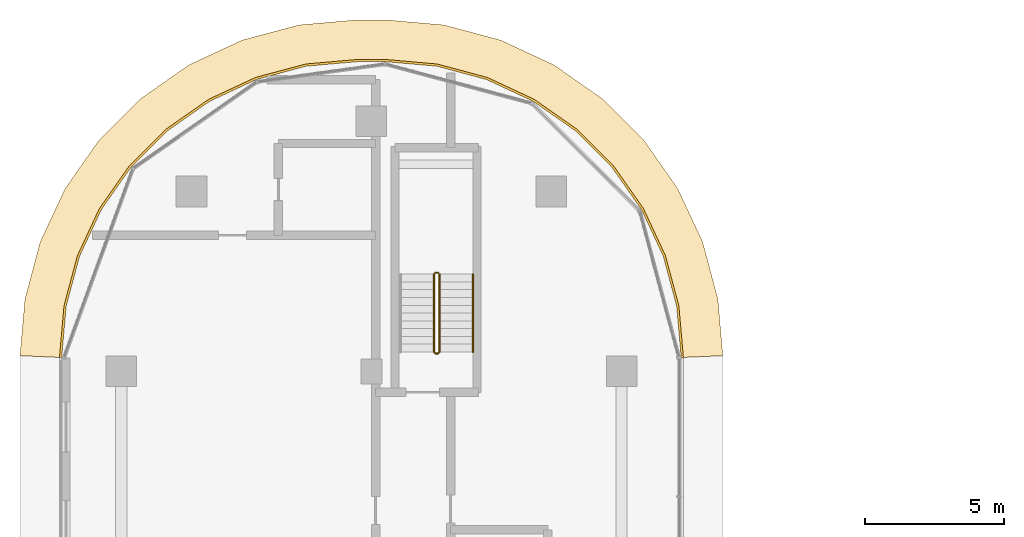
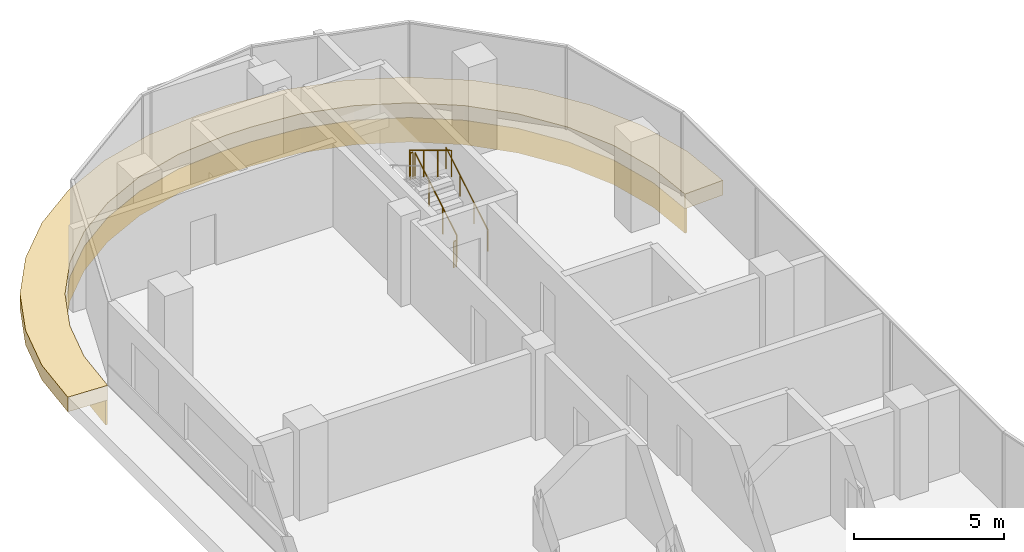
# One storey, part 25 of 26: 5 railings, 2 coverings.
"""IFC4 building model written with IfcOpenShell, lengths in metres."""

from ifc_helpers import new_model, si_unit, direction, frame, origin, origin_2d, place, context, subcontext, project, spatial, polyline, circle, outline, extrude, material, layer, layer_set, type_object, element, save


model = new_model("IFC4")

# Units and contexts
model_context = context("Model", 3, precision=1e-05, world=origin(), true_north=direction((0.0, 1.0)))
body_context = subcontext(model_context, "Body", "Model", "MODEL_VIEW")
ifc_project = project(units=[si_unit("LENGTHUNIT", "METRE"), si_unit("AREAUNIT", "SQUARE_METRE"), si_unit("VOLUMEUNIT", "CUBIC_METRE"), si_unit("PLANEANGLEUNIT", "RADIAN"), si_unit("MASSUNIT", "GRAM", prefix="KILO")], contexts=[model_context])

# Site, building, storey
site_placement = place(None, origin())
site = spatial("IfcSite", under=ifc_project, at=site_placement, CompositionType="ELEMENT")
building_placement = place(site_placement, origin())
building = spatial("IfcBuilding", under=site, at=building_placement, Name="Ogive Portal Towers", CompositionType="ELEMENT")
storey_placement = place(building_placement, frame((0.0, 0.0, 171.800048828125)))
storey = spatial("IfcBuildingStorey", under=building, at=storey_placement, Name="L42", CompositionType="ELEMENT", Elevation=171.800048828125)

# Railings
ifc_material_1 = material(Name="Stainless steel balustrade", Category="steel")
railing_type_1 = type_object("IfcRailingType", Name="INT-GUARD", PredefinedType="GUARDRAIL", material=ifc_material_1)
railing_1_placement = place(storey_placement, frame((42.949951171875, 67.199951171875, 0.168212890625)))
element("IfcRailing", 1, at=railing_1_placement, inside=storey, type_object=railing_type_1, Name="L42 ST-A3 stair guard 1", PredefinedType="GUARDRAIL", context=body_context, shape_type="SweptSolid", body=[
    extrude(circle(Radius=0.02392578125, at=origin_2d()), frame((0.0, 0.0, 1.076171875), z_axis=(0.0, 0.857275202839, 0.514858452973), x_axis=(-1.0, 0.0, 0.0)), (0.0, 0.0, 1.0), 3.26611328125),
    extrude(circle(Radius=0.02099609375, at=origin_2d()), origin(), (0.0, 0.0, 1.0), 1.052001953125),
    extrude(circle(Radius=0.02099609375, at=origin_2d()), frame((0.0, 0.933349609375, 0.560546875)), (0.0, 0.0, 1.0), 1.052001953125),
    extrude(circle(Radius=0.02099609375, at=origin_2d()), frame((0.0, 1.86669921875, 1.12109375)), (0.0, 0.0, 1.0), 1.052001953125),
    extrude(circle(Radius=0.02099609375, at=origin_2d()), frame((0.0, 2.800048828125, 1.681640625)), (0.0, 0.0, 1.0), 1.052001953125),
])
railing_2_placement = place(storey_placement, frame((42.89990234375, 70.050048828125, 1.849853515625)))
element("IfcRailing", 2, at=railing_2_placement, inside=storey, type_object=railing_type_1, Name="L42 ST-A3 stair guard 2", PredefinedType="GUARDRAIL", context=body_context, shape_type="SweptSolid", body=[
    extrude(circle(Radius=0.02392578125, at=origin_2d()), frame((0.0, 0.0, 1.076171875), z_axis=(-1.0, 0.0, 0.0), x_axis=(0.0, -1.0, 0.0)), (0.0, 0.0, 1.0), 0.099853515625),
    extrude(circle(Radius=0.02099609375, at=origin_2d()), origin(), (0.0, 0.0, 1.0), 1.052001953125),
    extrude(circle(Radius=0.02099609375, at=origin_2d()), frame((-0.099853515625, 0.0, 0.0)), (0.0, 0.0, 1.0), 1.052001953125),
])
railing_3_placement = place(storey_placement, frame((42.75, 70.0, 2.01806640625)))
element("IfcRailing", 3, at=railing_3_placement, inside=storey, type_object=railing_type_1, Name="L42 ST-A3 stair guard 3", PredefinedType="GUARDRAIL", context=body_context, shape_type="SweptSolid", body=[
    extrude(circle(Radius=0.02392578125, at=origin_2d()), frame((0.0, 0.0, 1.076171875), z_axis=(0.0, -0.857242210791, 0.514913383045), x_axis=(1.0, 0.0, 0.0)), (0.0, 0.0, 1.0), 3.266357421875),
    extrude(circle(Radius=0.02099609375, at=origin_2d()), origin(), (0.0, 0.0, 1.0), 1.052001953125),
    extrude(circle(Radius=0.02099609375, at=origin_2d()), frame((0.0, -0.933349609375, 0.560546875)), (0.0, 0.0, 1.0), 1.052001953125),
    extrude(circle(Radius=0.02099609375, at=origin_2d()), frame((0.0, -1.86669921875, 1.121337890625)), (0.0, 0.0, 1.0), 1.052001953125),
    extrude(circle(Radius=0.02099609375, at=origin_2d()), frame((0.0, -2.800048828125, 1.681884765625)), (0.0, 0.0, 1.0), 1.052001953125),
])
railing_4_placement = place(storey_placement, frame((42.89990234375, 67.14990234375, 0.0)))
element("IfcRailing", 4, at=railing_4_placement, inside=storey, type_object=railing_type_1, Name="L42 ST-A3 stair guard 4", PredefinedType="GUARDRAIL", context=body_context, shape_type="SweptSolid", body=[
    extrude(circle(Radius=0.02392578125, at=origin_2d()), frame((0.0, 0.0, 1.076171875), z_axis=(-1.0, 0.0, 0.0), x_axis=(0.0, -1.0, 0.0)), (0.0, 0.0, 1.0), 0.099853515625),
    extrude(circle(Radius=0.02099609375, at=origin_2d()), origin(), (0.0, 0.0, 1.0), 1.052001953125),
    extrude(circle(Radius=0.02099609375, at=origin_2d()), frame((-0.099853515625, 0.0, 0.0)), (0.0, 0.0, 1.0), 1.052001953125),
])
ifc_material_2 = material(Name="Stainless steel handrail", Category="steel")
railing_type_2 = type_object("IfcRailingType", Name="INT-HANDRAIL", PredefinedType="HANDRAIL", material=ifc_material_2)
railing_5_placement = place(storey_placement, frame((44.14990234375, 67.199951171875, 0.168212890625)))
element("IfcRailing", 5, at=railing_5_placement, inside=storey, type_object=railing_type_2, Name="L42 ST-A3 stair handrail 1", PredefinedType="HANDRAIL", context=body_context, shape_type="SweptSolid", body=[
    extrude(circle(Radius=0.02392578125, at=origin_2d()), frame((0.0, 0.0, 0.8759765625), z_axis=(0.0, 0.857275202839, 0.514858452973), x_axis=(-1.0, 0.0, 0.0)), (0.0, 0.0, 1.0), 3.26611328125),
    extrude(circle(Radius=0.02099609375, at=origin_2d()), origin(), (0.0, 0.0, 1.0), 0.851806640625),
    extrude(circle(Radius=0.02099609375, at=origin_2d()), frame((0.0, 0.933349609375, 0.560546875)), (0.0, 0.0, 1.0), 0.851806640625),
    extrude(circle(Radius=0.02099609375, at=origin_2d()), frame((0.0, 1.86669921875, 1.12109375)), (0.0, 0.0, 1.0), 0.851806640625),
    extrude(circle(Radius=0.02099609375, at=origin_2d()), frame((0.0, 2.800048828125, 1.681640625)), (0.0, 0.0, 1.0), 0.851806640625),
])

# Coverings
ifc_material_3 = material(Name="Limestone cladding on lightweight block wall", Category="masonry")
ifc_layer_1 = layer(ifc_material_3, 0.080078125)
ifc_layer_set_1 = layer_set([ifc_layer_1], Name="STONE SPANDREL 80")
covering_type_1 = type_object("IfcCoveringType", Name="STONE SPANDREL 80", PredefinedType="CLADDING", material=ifc_layer_set_1)
covering_1_placement = place(storey_placement, frame((0.0, 0.0, -1.60009765625)))
element("IfcCovering", 6, at=covering_1_placement, inside=storey, type_object=covering_type_1, Name="Stone spandrel A1-F10", PredefinedType="CLADDING", context=body_context, shape_type="SweptSolid", body=[
    extrude(outline(polyline([(51.64501953125, 67.0), (51.4833984375, 68.848388671875), (51.0029296875, 70.640869140625), (50.21875, 72.322509765625), (49.154541015625, 73.842529296875), (47.842529296875, 75.154541015625), (46.322509765625, 76.21875), (44.640869140625, 77.0029296875), (42.848388671875, 77.4833984375), (41.0, 77.64501953125), (40.0, 77.64501953125), (38.151611328125, 77.4833984375), (36.359130859375, 77.0029296875), (34.677490234375, 76.21875), (33.157470703125, 75.154541015625), (31.845458984375, 73.842529296875), (30.78125, 72.322509765625), (29.9970703125, 70.640869140625), (29.5166015625, 68.848388671875), (29.35498046875, 67.0), (29.27490234375, 67.00341796875), (29.437744140625, 68.862548828125), (29.921630859375, 70.668212890625), (30.711669921875, 72.362548828125), (31.783935546875, 73.89404296875), (33.10595703125, 75.216064453125), (34.637451171875, 76.288330078125), (36.331787109375, 77.078369140625), (38.137451171875, 77.562255859375), (39.99658203125, 77.72509765625), (41.00341796875, 77.72509765625), (42.862548828125, 77.562255859375), (44.668212890625, 77.078369140625), (46.362548828125, 76.288330078125), (47.89404296875, 75.216064453125), (49.216064453125, 73.89404296875), (50.288330078125, 72.362548828125), (51.078369140625, 70.668212890625), (51.562255859375, 68.862548828125), (51.72509765625, 67.00341796875), (51.64501953125, 67.0)])), origin(), (0.0, 0.0, 1.0), 1.0),
])
ifc_layer_2 = layer(ifc_material_3, 0.60009765625)
ifc_layer_set_2 = layer_set([ifc_layer_2], Name="SUNSHADE LIP 600")
covering_type_2 = type_object("IfcCoveringType", Name="SUNSHADE LIP 600", PredefinedType="CLADDING", material=ifc_layer_set_2)
covering_2_placement = place(storey_placement, frame((0.0, 0.0, -0.60009765625)))
element("IfcCovering", 7, at=covering_2_placement, inside=storey, type_object=covering_type_2, Name="Sunshade lip A1-F10", PredefinedType="CLADDING", context=body_context, shape_type="SweptSolid", body=[
    extrude(outline(polyline([(51.64501953125, 67.0), (51.4833984375, 68.848388671875), (51.0029296875, 70.640869140625), (50.21875, 72.322509765625), (49.154541015625, 73.842529296875), (47.842529296875, 75.154541015625), (46.322509765625, 76.21875), (44.640869140625, 77.0029296875), (42.848388671875, 77.4833984375), (41.0, 77.64501953125), (40.0, 77.64501953125), (38.151611328125, 77.4833984375), (36.359130859375, 77.0029296875), (34.677490234375, 76.21875), (33.157470703125, 75.154541015625), (31.845458984375, 73.842529296875), (30.78125, 72.322509765625), (29.9970703125, 70.640869140625), (29.5166015625, 68.848388671875), (29.35498046875, 67.0), (27.85498046875, 67.0654296875), (28.033935546875, 69.10986328125), (28.58203125, 71.15576171875), (29.47705078125, 73.075439453125), (30.69189453125, 74.810302734375), (32.189697265625, 76.30810546875), (33.924560546875, 77.52294921875), (35.84423828125, 78.41796875), (37.89013671875, 78.966064453125), (39.9345703125, 79.14501953125), (41.0654296875, 79.14501953125), (43.10986328125, 78.966064453125), (45.15576171875, 78.41796875), (47.075439453125, 77.52294921875), (48.810302734375, 76.30810546875), (50.30810546875, 74.810302734375), (51.52294921875, 73.075439453125), (52.41796875, 71.15576171875), (52.966064453125, 69.10986328125), (53.14501953125, 67.0654296875), (51.64501953125, 67.0)])), origin(), (0.0, 0.0, 1.0), 0.60009765625),
])

save(model, "model.ifc")
